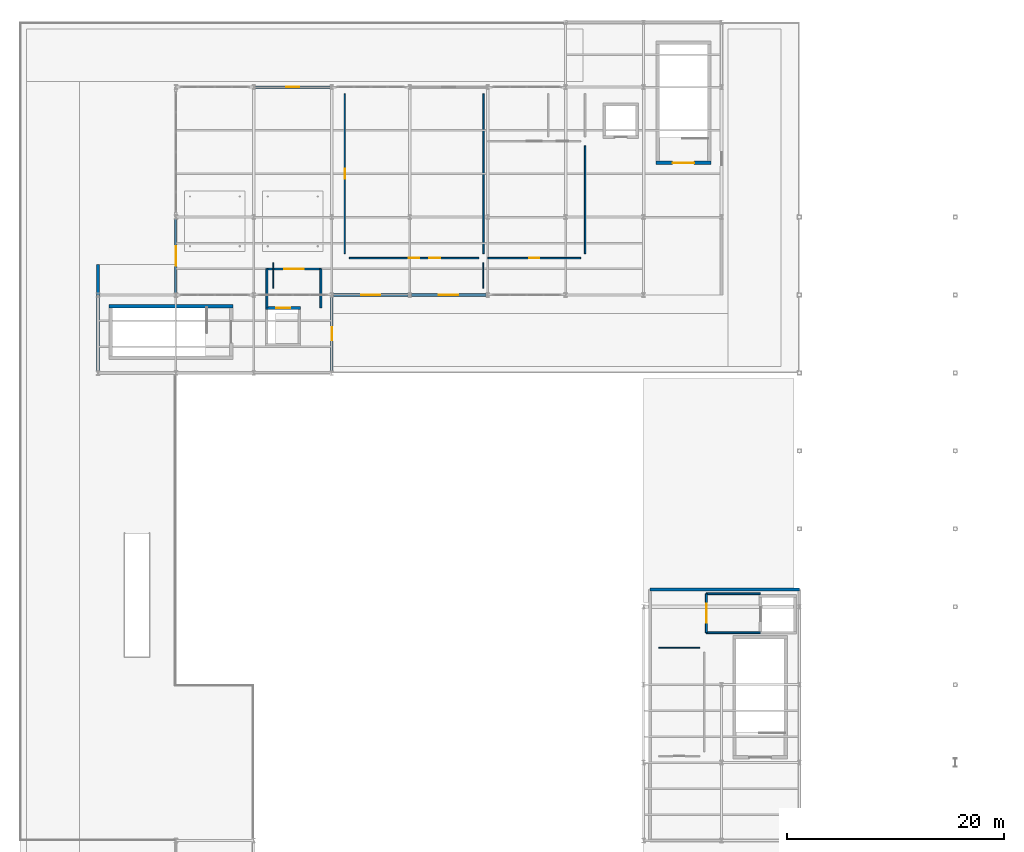
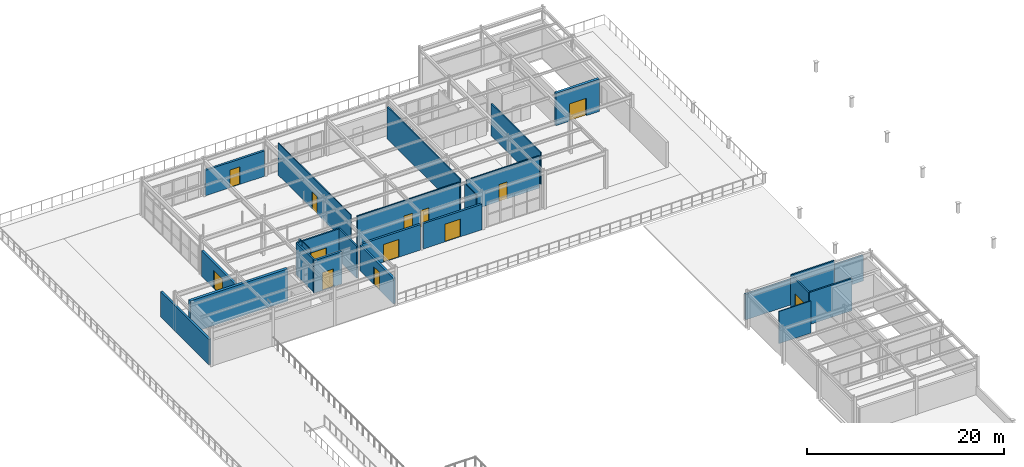
# One storey, part 35 of 41: 24 walls, 13 doors, 13 openings.
"""IFC4 building model written with IfcOpenShell, lengths in metres."""

import ifcopenshell
import ifcopenshell.guid

model = None  # the IFC model being written
_history = None  # IfcOwnerHistory: only IFC2X3 demands one
_inside = {}  # id of a spatial element -> (the spatial element, [elements in it])
_under = {}  # id of a project, library or spatial element -> (it, [spatial elements below it])
_declared = {}  # id of a project -> (the project, [libraries it declares])
_typed = {}  # id of a type object -> (the type object, [elements of that type])
_made_of = {}  # id of a material, layer set ... -> (it, [elements and type objects made of it])


def new_model(schema):
    """Start an empty IFC model of exactly this schema.

    Asked for "IFC4X3", IfcOpenShell would pick the latest addendum, in which some entities
    have other attributes; the version numbers below select the first issue.
    IFC2X3 requires an IfcOwnerHistory on every rooted entity: one is made here for all.
    """
    global model, _history
    if schema == "IFC4X3":
        model = ifcopenshell.file(schema_version=(4, 3, 0, 0))
    else:
        model = ifcopenshell.file(schema=schema)
    _inside.clear()
    _under.clear()
    _declared.clear()
    _typed.clear()
    _made_of.clear()
    _history = None
    if model.schema == "IFC2X3":
        org = make("IfcOrganization", Name="unknown")
        user = make(
            "IfcPersonAndOrganization",
            ThePerson=make("IfcPerson", FamilyName="unknown"),
            TheOrganization=org,
        )
        app = make(
            "IfcApplication",
            ApplicationDeveloper=org,
            Version="unknown",
            ApplicationFullName="unknown",
            ApplicationIdentifier="unknown",
        )
        _history = make(
            "IfcOwnerHistory",
            OwningUser=user,
            OwningApplication=app,
            ChangeAction="ADDED",
            CreationDate=0,
        )
    return model


def make(cls, **values):
    """One entity of the class cls with the attributes given. An attribute that is None is left unset."""
    return model.create_entity(
        cls, **{name: value for name, value in values.items() if value is not None}
    )


def rooted(cls, **values):
    """An entity with a GlobalId (a new one), such as an element, a storey or a relation."""
    return make(cls, GlobalId=ifcopenshell.guid.new(), OwnerHistory=_history, **values)


def si_unit(unit_type, name, prefix=None):
    """IfcSIUnit, for example si_unit("LENGTHUNIT", "METRE", prefix="MILLI")."""
    return make("IfcSIUnit", UnitType=unit_type, Prefix=prefix, Name=name)


def assignment(units):
    """IfcUnitAssignment: the units of a project."""
    return None if units is None else make("IfcUnitAssignment", Units=units)


def point(xyz):
    """IfcCartesianPoint."""
    return None if xyz is None else make("IfcCartesianPoint", Coordinates=xyz)


def direction(xyz):
    """IfcDirection."""
    return None if xyz is None else make("IfcDirection", DirectionRatios=xyz)


def frame(location, z_axis=None, x_axis=None):
    """IfcAxis2Placement3D, a coordinate frame: its origin and axes. An axis left out is left unset."""
    return make(
        "IfcAxis2Placement3D",
        Location=point(location),
        Axis=direction(z_axis),
        RefDirection=direction(x_axis),
    )


def frame_2d(location, x_axis=None):
    """IfcAxis2Placement2D, a coordinate frame in the plane: its origin and x axis."""
    return make(
        "IfcAxis2Placement2D", Location=point(location), RefDirection=direction(x_axis)
    )


def origin():
    """The frame at (0, 0, 0) with its axes left unset."""
    return frame((0.0, 0.0, 0.0))


def place(relative_to, where):
    """IfcLocalPlacement: puts the frame where relative to a parent placement (None: the world)."""
    return make(
        "IfcLocalPlacement", PlacementRelTo=relative_to, RelativePlacement=where
    )


def context(
    kind, dimensions, precision=None, world=None, true_north=None, identifier=None
):
    """IfcGeometricRepresentationContext, for example the 3D "Model" context."""
    return make(
        "IfcGeometricRepresentationContext",
        ContextIdentifier=identifier,
        ContextType=kind,
        CoordinateSpaceDimension=dimensions,
        Precision=precision,
        WorldCoordinateSystem=world,
        TrueNorth=true_north,
    )


def subcontext(parent, identifier, kind, view, scale=None):
    """IfcGeometricRepresentationSubContext, for example "Body" below "Model"."""
    return make(
        "IfcGeometricRepresentationSubContext",
        ContextIdentifier=identifier,
        ContextType=kind,
        ParentContext=parent,
        TargetScale=scale,
        TargetView=view,
    )


def project(units=None, contexts=None):
    """IfcProject with its units and contexts."""
    return rooted(
        "IfcProject",
        Name="project",
        RepresentationContexts=contexts,
        UnitsInContext=assignment(units),
    )


def spatial(cls, under=None, at=None, **own):
    """A site, building, storey or space (cls), placed at a placement, below another one or the project."""
    s = rooted(cls, ObjectPlacement=at, **own)
    if under is not None:
        _under.setdefault(under.id(), (under, []))[1].append(s)
    return s


def profile(cls, at=None, kind="AREA", **sizes):
    """A parametric profile (cls). Its sizes go by their IFC names, for example OverallWidth=200.0."""
    return make(cls, ProfileType=kind, Position=at, **sizes)


def rectangle(**sizes):
    """IfcRectangleProfileDef."""
    return profile("IfcRectangleProfileDef", **sizes)


def extrude(swept, where, along, depth):
    """IfcExtrudedAreaSolid: the profile swept, set in the frame where, extruded along a direction by depth."""
    return make(
        "IfcExtrudedAreaSolid",
        SweptArea=swept,
        Position=where,
        ExtrudedDirection=direction(along),
        Depth=depth,
    )


def shape(context_of_items, identifier, shape_type, items):
    """IfcShapeRepresentation: the items that make up one representation, for example the "Body"."""
    return make(
        "IfcShapeRepresentation",
        ContextOfItems=context_of_items,
        RepresentationIdentifier=identifier,
        RepresentationType=shape_type,
        Items=items,
    )


def material(Name=None, Category=None):
    """IfcMaterial."""
    return make("IfcMaterial", Name=Name, Category=Category)


def layer(
    of_material, thickness, ventilated=None, Name=None, Category=None, Priority=None
):
    """IfcMaterialLayer: one layer of a wall or slab, of a material (None: an air gap)."""
    return make(
        "IfcMaterialLayer",
        Material=of_material,
        LayerThickness=thickness,
        IsVentilated=ventilated,
        Name=Name,
        Category=Category,
        Priority=Priority,
    )


def layer_set(layers, Name=None):
    """IfcMaterialLayerSet."""
    return make("IfcMaterialLayerSet", MaterialLayers=layers, LayerSetName=Name)


def made_of(thing, what):
    """Note that an element or type object is made of a material, layer set ...; save() writes the relation."""
    if what is not None:
        _made_of.setdefault(what.id(), (what, []))[1].append(thing)
    return thing


def type_object(cls, material=None, **own):
    """A type object (cls), such as IfcWallType, which elements share."""
    return made_of(rooted(cls, **own), material)


def element(
    cls,
    number,
    at=None,
    inside=None,
    cuts=None,
    type_object=None,
    material=None,
    context=None,
    identifier="Body",
    shape_type=None,
    held_by="IfcProductDefinitionShape",
    body=None,
    shapes=None,
    **own,
):
    """One element of the class cls, such as IfcWall. Its Tag is "e" and its number.

    at: its placement. inside: the storey or other place that contains it. cuts: it is an
    opening in that element (IfcRelVoidsElement). A single representation is given by context,
    identifier, shape_type and body (its items); several are given by shapes. held_by: the class
    of the entity that holds the representations. save() writes the other relations.
    """
    e = rooted(cls, Tag="e%d" % number, ObjectPlacement=at, **own)
    if body is not None:
        shapes = [shape(context, identifier, shape_type, body)]
    if shapes is not None:
        e.Representation = make(held_by, Representations=shapes)
    if inside is not None:
        _inside.setdefault(inside.id(), (inside, []))[1].append(e)
    if cuts is not None:
        rooted(
            "IfcRelVoidsElement", RelatingBuildingElement=cuts, RelatedOpeningElement=e
        )
    if type_object is not None:
        _typed.setdefault(type_object.id(), (type_object, []))[1].append(e)
    return made_of(e, material)


def fill(opening, filler):
    """IfcRelFillsElement: the door or window that sits in an opening."""
    return rooted(
        "IfcRelFillsElement",
        RelatingOpeningElement=opening,
        RelatedBuildingElement=filler,
    )


def aggregate(whole, parts):
    """IfcRelAggregates: a whole, such as a stair, and the parts it consists of."""
    return rooted("IfcRelAggregates", RelatingObject=whole, RelatedObjects=parts)


def save(model, path):
    """Write the relations noted so far, then the file.

    IfcRelAggregates (storeys below a building ...), IfcRelContainedInSpatialStructure (elements
    in a storey), IfcRelDefinesByType, IfcRelAssociatesMaterial and IfcRelDeclares: one each for
    every whole, place, type object, material and project.
    """
    for whole, parts in _under.values():
        aggregate(whole, parts)
    for where, things in _inside.values():
        rooted(
            "IfcRelContainedInSpatialStructure",
            RelatedElements=things,
            RelatingStructure=where,
        )
    for kind, things in _typed.values():
        rooted("IfcRelDefinesByType", RelatedObjects=things, RelatingType=kind)
    for what, things in _made_of.values():
        rooted("IfcRelAssociatesMaterial", RelatedObjects=things, RelatingMaterial=what)
    for by, libraries in _declared.values():
        rooted("IfcRelDeclares", RelatingContext=by, RelatedDefinitions=libraries)
    model.write(path)


model = new_model("IFC4")

# Units and contexts
model_context = context("Model", 3, precision=1e-05, world=origin(), true_north=direction((0.0, 1.0)))
body_context = subcontext(model_context, "Body", "Model", "MODEL_VIEW")
ifc_project = project(units=[si_unit("LENGTHUNIT", "METRE"), si_unit("AREAUNIT", "SQUARE_METRE"), si_unit("VOLUMEUNIT", "CUBIC_METRE"), si_unit("PLANEANGLEUNIT", "RADIAN"), si_unit("MASSUNIT", "GRAM", prefix="KILO")], contexts=[model_context])

# Site, building, storey
site_placement = place(None, origin())
site = spatial("IfcSite", under=ifc_project, at=site_placement, CompositionType="ELEMENT")
building_placement = place(site_placement, origin())
building = spatial("IfcBuilding", under=site, at=building_placement, Name="Solvadek Multi-Sports Hall", CompositionType="ELEMENT")
storey_placement = place(building_placement, frame((0.0, 0.0, 14.39990234375)))
storey = spatial("IfcBuildingStorey", under=building, at=storey_placement, Name="L03", CompositionType="ELEMENT", Elevation=14.39990234375)

# Wall, opening, door
ifc_material_1 = material(Name="Dressed honey-cream limestone ashlar", Category="masonry")
ifc_layer_1 = layer(ifc_material_1, 0.25, Name="Dressed honey-cream limestone ashlar")
ifc_layer_set_1 = layer_set([ifc_layer_1], Name="Dressed honey-cream limestone ashlar")
wall_type_1 = type_object("IfcWallType", Name="ENV-WAL-EXT250", PredefinedType="SOLIDWALL", material=ifc_layer_set_1)
wall_1_placement = place(storey_placement, frame((21.75390625, 104.39990234375, 0.0), z_axis=(0.0, 0.0, 1.0), x_axis=(1.0, 0.0, 0.0)))
wall_1 = element("IfcWall", 1, at=wall_1_placement, inside=storey, type_object=wall_type_1, Name="L03 Exterior Masonry Wall #292", PredefinedType="SOLIDWALL", context=body_context, shape_type="SweptSolid", body=[
    extrude(rectangle(XDim=6.89208984375, YDim=0.25, at=frame_2d((3.446044921875, 0.0))), origin(), (0.0, 0.0, 1.0), 3.150146484375),
])
opening_1_placement = place(wall_1_placement, frame((2.845947265625, 0.0, 0.0)))
opening_1 = element("IfcOpeningElement", 2, at=opening_1_placement, cuts=wall_1, Name="Opening D-TRK1", PredefinedType="OPENING", context=body_context, shape_type="SweptSolid", body=[
    extrude(rectangle(XDim=1.199951171875, YDim=2.199951171875, at=frame_2d((0.60009765625, 1.10009765625))), frame((0.0, 0.135009765625, 0.0), z_axis=(0.0, -1.0, 0.0), x_axis=(1.0, 0.0, 0.0)), (0.0, 0.0, 1.0), 0.27001953125),
])
ifc_material_2 = material(Name="Anodised aluminium", Category="aluminium")
door_type_1 = type_object("IfcDoorType", Name="ENV-DOR-TRK120X220", OperationType="NOTDEFINED", PredefinedType="DOOR", material=ifc_material_2)
door_1_placement = place(opening_1_placement, origin())
door_1 = element("IfcDoor", 3, at=door_1_placement, inside=storey, type_object=door_type_1, Name="Pavilion North Track Access Door", OperationType="SINGLE_SWING_RIGHT", OverallHeight=2.199951171875, OverallWidth=1.199951171875, PredefinedType="DOOR", context=body_context, shape_type="SweptSolid", body=[
    extrude(rectangle(XDim=1.199951171875, YDim=2.199951171875, at=frame_2d((0.60009765625, 1.10009765625))), frame((0.0, 0.02490234375, 0.0), z_axis=(0.0, -1.0, 0.0), x_axis=(1.0, 0.0, 0.0)), (0.0, 0.0, 1.0), 0.050048828125),
])
fill(opening_1, door_1)

wall_2_placement = place(storey_placement, frame((28.9541015625, 85.199951171875, 0.0), z_axis=(0.0, 0.0, 1.0), x_axis=(1.0, 0.0, 0.0)))
wall_2 = element("IfcWall", 4, at=wall_2_placement, inside=storey, type_object=wall_type_1, Name="L03 Exterior Masonry Wall #293", PredefinedType="SOLIDWALL", context=body_context, shape_type="SweptSolid", body=[
    extrude(rectangle(XDim=6.891845703125, YDim=0.25, at=frame_2d((3.44580078125, 0.0))), origin(), (0.0, 0.0, 1.0), 3.150146484375),
])
opening_2_placement = place(wall_2_placement, frame((2.5458984375, 0.0, 0.0)))
opening_2 = element("IfcOpeningElement", 5, at=opening_2_placement, cuts=wall_2, Name="Opening D-TRK2", PredefinedType="OPENING", context=body_context, shape_type="SweptSolid", body=[
    extrude(rectangle(XDim=1.800048828125, YDim=2.199951171875, at=frame_2d((0.89990234375, 1.10009765625))), frame((0.0, 0.135009765625, 0.0), z_axis=(0.0, -1.0, 0.0), x_axis=(1.0, 0.0, 0.0)), (0.0, 0.0, 1.0), 0.27001953125),
])
door_type_2 = type_object("IfcDoorType", Name="ENV-DOR-TRK180X220", OperationType="DOUBLE_DOOR_SINGLE_SWING", PredefinedType="DOOR", material=ifc_material_2)
door_2_placement = place(opening_2_placement, frame((1.800048828125, 0.0, 0.0), z_axis=(0.0, 0.0, 1.0), x_axis=(-1.0, 0.0, 0.0)))
door_2 = element("IfcDoor", 6, at=door_2_placement, inside=storey, type_object=door_type_2, Name="Warm-Up Pavilion Track Access Door", OperationType="DOUBLE_DOOR_SINGLE_SWING", OverallHeight=2.199951171875, OverallWidth=1.800048828125, PredefinedType="DOOR", context=body_context, shape_type="SweptSolid", body=[
    extrude(rectangle(XDim=1.800048828125, YDim=2.199951171875, at=frame_2d((0.89990234375, 1.10009765625))), frame((0.0, 0.02490234375, 0.0), z_axis=(0.0, -1.0, 0.0), x_axis=(1.0, 0.0, 0.0)), (0.0, 0.0, 1.0), 0.050048828125),
])
fill(opening_2, door_2)

wall_3_placement = place(storey_placement, frame((36.154052734375, 85.199951171875, 0.0), z_axis=(0.0, 0.0, 1.0), x_axis=(1.0, 0.0, 0.0)))
wall_3 = element("IfcWall", 7, at=wall_3_placement, inside=storey, type_object=wall_type_1, Name="L03 Exterior Masonry Wall #294", PredefinedType="SOLIDWALL", context=body_context, shape_type="SweptSolid", body=[
    extrude(rectangle(XDim=6.891845703125, YDim=0.25, at=frame_2d((3.44580078125, 0.0))), origin(), (0.0, 0.0, 1.0), 3.150146484375),
])
opening_3_placement = place(wall_3_placement, frame((2.5458984375, 0.0, 0.0)))
opening_3 = element("IfcOpeningElement", 8, at=opening_3_placement, cuts=wall_3, Name="Opening D-TRK2", PredefinedType="OPENING", context=body_context, shape_type="SweptSolid", body=[
    extrude(rectangle(XDim=1.800048828125, YDim=2.199951171875, at=frame_2d((0.89990234375, 1.10009765625))), frame((0.0, 0.135009765625, 0.0), z_axis=(0.0, -1.0, 0.0), x_axis=(1.0, 0.0, 0.0)), (0.0, 0.0, 1.0), 0.27001953125),
])
door_3_placement = place(opening_3_placement, frame((1.800048828125, 0.0, 0.0), z_axis=(0.0, 0.0, 1.0), x_axis=(-1.0, 0.0, 0.0)))
door_3 = element("IfcDoor", 9, at=door_3_placement, inside=storey, type_object=door_type_2, Name="Warm-Up Pavilion Track Access Door", OperationType="DOUBLE_DOOR_SINGLE_SWING", OverallHeight=2.199951171875, OverallWidth=1.800048828125, PredefinedType="DOOR", context=body_context, shape_type="SweptSolid", body=[
    extrude(rectangle(XDim=1.800048828125, YDim=2.199951171875, at=frame_2d((0.89990234375, 1.10009765625))), frame((0.0, 0.02490234375, 0.0), z_axis=(0.0, -1.0, 0.0), x_axis=(1.0, 0.0, 0.0)), (0.0, 0.0, 1.0), 0.050048828125),
])
fill(opening_3, door_3)

wall_4_placement = place(storey_placement, frame((14.39990234375, 85.404052734375, 0.0), z_axis=(0.0, 0.0, 1.0), x_axis=(0.0, 1.0, 0.0)))
wall_4 = element("IfcWall", 10, at=wall_4_placement, inside=storey, type_object=wall_type_1, Name="L03 Exterior Masonry Wall #296", PredefinedType="SOLIDWALL", context=body_context, shape_type="SweptSolid", body=[
    extrude(rectangle(XDim=6.7919921875, YDim=0.25, at=frame_2d((3.39599609375, 0.0))), origin(), (0.0, 0.0, 1.0), 3.150146484375),
])
opening_4_placement = place(wall_4_placement, frame((2.49609375, 0.0, 0.0)))
opening_4 = element("IfcOpeningElement", 11, at=opening_4_placement, cuts=wall_4, Name="Opening D-TRK2", PredefinedType="OPENING", context=body_context, shape_type="SweptSolid", body=[
    extrude(rectangle(XDim=1.800048828125, YDim=2.199951171875, at=frame_2d((0.89990234375, 1.10009765625))), frame((0.0, 0.135009765625, 0.0), z_axis=(0.0, -1.0, 0.0), x_axis=(1.0, 0.0, 0.0)), (0.0, 0.0, 1.0), 0.27001953125),
])
door_4_placement = place(opening_4_placement, origin())
door_4 = element("IfcDoor", 12, at=door_4_placement, inside=storey, type_object=door_type_2, Name="Pavilion West Track Access Door", OperationType="DOUBLE_DOOR_SINGLE_SWING", OverallHeight=2.199951171875, OverallWidth=1.800048828125, PredefinedType="DOOR", context=body_context, shape_type="SweptSolid", body=[
    extrude(rectangle(XDim=1.800048828125, YDim=2.199951171875, at=frame_2d((0.89990234375, 1.10009765625))), frame((0.0, 0.02490234375, 0.0), z_axis=(0.0, -1.0, 0.0), x_axis=(1.0, 0.0, 0.0)), (0.0, 0.0, 1.0), 0.050048828125),
])
fill(opening_4, door_4)

# Wall
wall_5_placement = place(storey_placement, frame((7.199951171875, 78.2041015625, 0.0), z_axis=(0.0, 0.0, 1.0), x_axis=(0.0, 1.0, 0.0)))
element("IfcWall", 13, at=wall_5_placement, inside=storey, type_object=wall_type_1, Name="L03 Exterior Masonry Wall #298", PredefinedType="SOLIDWALL", context=body_context, shape_type="SweptSolid", body=[
    extrude(rectangle(XDim=9.7958984375, YDim=0.25, at=frame_2d((4.89794921875, 0.0))), origin(), (0.0, 0.0, 1.0), 3.150146484375),
])

# Wall, opening, door
wall_6_placement = place(storey_placement, frame((28.800048828125, 78.2041015625, 0.0), z_axis=(0.0, 0.0, 1.0), x_axis=(0.0, 1.0, 0.0)))
wall_6 = element("IfcWall", 14, at=wall_6_placement, inside=storey, type_object=wall_type_1, Name="L03 Exterior Masonry Wall #299", PredefinedType="SOLIDWALL", context=body_context, shape_type="SweptSolid", body=[
    extrude(rectangle(XDim=6.7919921875, YDim=0.25, at=frame_2d((3.39599609375, 0.0))), origin(), (0.0, 0.0, 1.0), 3.150146484375),
])
opening_5_placement = place(wall_6_placement, frame((2.7958984375, 0.0, 0.0)))
opening_5 = element("IfcOpeningElement", 15, at=opening_5_placement, cuts=wall_6, Name="Opening D-TRK1", PredefinedType="OPENING", context=body_context, shape_type="SweptSolid", body=[
    extrude(rectangle(XDim=1.199951171875, YDim=2.199951171875, at=frame_2d((0.60009765625, 1.10009765625))), frame((0.0, 0.135009765625, 0.0), z_axis=(0.0, -1.0, 0.0), x_axis=(1.0, 0.0, 0.0)), (0.0, 0.0, 1.0), 0.27001953125),
])
door_5_placement = place(opening_5_placement, frame((1.199951171875, 0.0, 0.0), z_axis=(0.0, 0.0, 1.0), x_axis=(-1.0, 0.0, 0.0)))
door_5 = element("IfcDoor", 16, at=door_5_placement, inside=storey, type_object=door_type_1, Name="Headhouse Track Access Door", OperationType="SINGLE_SWING_LEFT", OverallHeight=2.199951171875, OverallWidth=1.199951171875, PredefinedType="DOOR", context=body_context, shape_type="SweptSolid", body=[
    extrude(rectangle(XDim=1.199951171875, YDim=2.199951171875, at=frame_2d((0.60009765625, 1.10009765625))), frame((0.0, 0.02490234375, 0.0), z_axis=(0.0, -1.0, 0.0), x_axis=(1.0, 0.0, 0.0)), (0.0, 0.0, 1.0), 0.050048828125),
])
fill(opening_5, door_5)

# Wall
wall_7_placement = place(storey_placement, frame((58.199951171875, 58.0, 0.0), z_axis=(0.0, 0.0, 1.0), x_axis=(1.0, 0.0, 0.0)))
element("IfcWall", 17, at=wall_7_placement, inside=storey, type_object=wall_type_1, Name="L03 Exterior Masonry Wall #304", PredefinedType="SOLIDWALL", context=body_context, shape_type="SweptSolid", body=[
    extrude(rectangle(XDim=13.800048828125, YDim=0.25, at=frame_2d((6.89990234375, 0.0))), origin(), (0.0, 0.0, 1.0), 3.150146484375),
])

# Wall, opening, door
ifc_material_3 = material(Name="Autoclaved aerated concrete blockwork", Category="masonry")
ifc_layer_2 = layer(ifc_material_3, 0.10498046875, Name="Autoclaved aerated concrete blockwork")
ifc_layer_set_2 = layer_set([ifc_layer_2], Name="Autoclaved aerated concrete blockwork")
wall_type_2 = type_object("IfcWallType", Name="INT-WAL-PRT105", PredefinedType="PARTITIONING", material=ifc_layer_set_2)
wall_8_placement = place(storey_placement, frame((30.0, 89.02001953125, 0.0), z_axis=(0.0, 0.0, 1.0), x_axis=(0.0, 1.0, 0.0)))
wall_8 = element("IfcWall", 18, at=wall_8_placement, inside=storey, type_object=wall_type_2, Name="L03 Partition Wall L03-01 E", PredefinedType="PARTITIONING", context=body_context, shape_type="SweptSolid", body=[
    extrude(rectangle(XDim=14.760009765625, YDim=0.10498046875, at=frame_2d((7.3798828125, 0.0))), origin(), (0.0, 0.0, 1.0), 3.985107421875),
])
opening_6_placement = place(wall_8_placement, frame((6.905029296875, 0.0, 0.0)))
opening_6 = element("IfcOpeningElement", 19, at=opening_6_placement, cuts=wall_8, Name="Opening D-02", PredefinedType="OPENING", context=body_context, shape_type="SweptSolid", body=[
    extrude(rectangle(XDim=0.949951171875, YDim=2.10009765625, at=frame_2d((0.47509765625, 1.050048828125))), frame((0.0, 0.0625, 0.0), z_axis=(0.0, -1.0, 0.0), x_axis=(1.0, 0.0, 0.0)), (0.0, 0.0, 1.0), 0.125),
])
ifc_material_4 = material(Name="Teak hardwood timber", Category="wood")
door_type_3 = type_object("IfcDoorType", Name="INT-DOR-RM095X210", OperationType="NOTDEFINED", PredefinedType="DOOR", material=ifc_material_4)
door_6_placement = place(opening_6_placement, origin())
door_6 = element("IfcDoor", 20, at=door_6_placement, inside=storey, type_object=door_type_3, Name="L03 L03-01 Door #55", OperationType="SINGLE_SWING_RIGHT", OverallHeight=2.10009765625, OverallWidth=0.949951171875, PredefinedType="DOOR", context=body_context, shape_type="SweptSolid", body=[
    extrude(rectangle(XDim=0.949951171875, YDim=2.10009765625, at=frame_2d((0.47509765625, 1.050048828125))), frame((0.0, 0.02490234375, 0.0), z_axis=(0.0, -1.0, 0.0), x_axis=(1.0, 0.0, 0.0)), (0.0, 0.0, 1.0), 0.050048828125),
])
fill(opening_6, door_6)

# Walls
for number, where, z_axis, x_axis, name in (
    (21, (23.39990234375, 85.820068359375, 0.0), (0.0, 0.0, 1.0), (0.0, 1.0, 0.0), "L03 Partition Wall L03-04 W"),
    (22, (42.800048828125, 85.820068359375, 0.0), (0.0, 0.0, 1.0), (0.0, 1.0, 0.0), "L03 Partition Wall L03-04 E"),
):
    element("IfcWall", number, at=place(storey_placement, frame(where, z_axis=z_axis, x_axis=x_axis)), inside=storey, type_object=wall_type_2, Name=name, PredefinedType="PARTITIONING", context=body_context, shape_type="SweptSolid", body=[
        extrude(rectangle(XDim=2.355712890625, YDim=0.10498046875, at=frame_2d((1.177734375, 0.0))), origin(), (0.0, 0.0, 1.0), 3.985107421875),
    ])
wall_9_placement = place(storey_placement, frame((59.02001953125, 52.60009765625, 0.0), z_axis=(0.0, 0.0, 1.0), x_axis=(1.0, 0.0, 0.0)))
element("IfcWall", 23, at=wall_9_placement, inside=storey, type_object=wall_type_2, Name="L03 Partition Wall L03-07 N", PredefinedType="PARTITIONING", context=body_context, shape_type="SweptSolid", body=[
    extrude(rectangle(XDim=3.760009765625, YDim=0.10498046875, at=frame_2d((1.8798828125, 0.0))), origin(), (0.0, 0.0, 1.0), 3.985107421875),
])

# Wall, openings, doors
ifc_layer_3 = layer(ifc_material_3, 0.135009765625, Name="Autoclaved aerated concrete blockwork")
ifc_layer_set_3 = layer_set([ifc_layer_3], Name="Autoclaved aerated concrete blockwork")
wall_type_3 = type_object("IfcWallType", Name="INT-WAL-PRT135", PredefinedType="PARTITIONING", material=ifc_layer_set_3)
wall_10_placement = place(storey_placement, frame((30.425048828125, 88.60009765625, 0.0), z_axis=(0.0, 0.0, 1.0), x_axis=(1.0, 0.0, 0.0)))
wall_10 = element("IfcWall", 24, at=wall_10_placement, inside=storey, type_object=wall_type_3, Name="L03 Partition Wall L03-02 S", PredefinedType="PARTITIONING", context=body_context, shape_type="SweptSolid", body=[
    extrude(rectangle(XDim=11.954833984375, YDim=0.135009765625, at=frame_2d((5.9775390625, 0.0))), origin(), (0.0, 0.0, 1.0), 3.985107421875),
])
opening_7_placement = place(wall_10_placement, frame((5.4775390625, 0.0, 0.0)))
opening_7 = element("IfcOpeningElement", 25, at=opening_7_placement, cuts=wall_10, Name="Opening D-01", PredefinedType="OPENING", context=body_context, shape_type="SweptSolid", body=[
    extrude(rectangle(XDim=1.0, YDim=2.10009765625, at=frame_2d((0.5, 1.050048828125))), frame((0.0, 0.077392578125, 0.0), z_axis=(0.0, -1.0, 0.0), x_axis=(1.0, 0.0, 0.0)), (0.0, 0.0, 1.0), 0.155029296875),
])
opening_8_placement = place(wall_10_placement, frame((7.37744140625, 0.0, 0.0)))
opening_8 = element("IfcOpeningElement", 26, at=opening_8_placement, cuts=wall_10, Name="Opening D-01", PredefinedType="OPENING", context=body_context, shape_type="SweptSolid", body=[
    extrude(rectangle(XDim=1.0, YDim=2.10009765625, at=frame_2d((0.5, 1.050048828125))), frame((0.0, 0.077392578125, 0.0), z_axis=(0.0, -1.0, 0.0), x_axis=(1.0, 0.0, 0.0)), (0.0, 0.0, 1.0), 0.155029296875),
])
door_type_4 = type_object("IfcDoorType", Name="INT-DOR-RM100X210", OperationType="NOTDEFINED", PredefinedType="DOOR", material=ifc_material_4)
door_7_placement = place(opening_7_placement, origin())
door_7 = element("IfcDoor", 27, at=door_7_placement, inside=storey, type_object=door_type_4, Name="L03 L03-02 Door #56", OperationType="SINGLE_SWING_LEFT", OverallHeight=2.10009765625, OverallWidth=1.0, PredefinedType="DOOR", context=body_context, shape_type="SweptSolid", body=[
    extrude(rectangle(XDim=1.0, YDim=2.10009765625, at=frame_2d((0.5, 1.050048828125))), frame((0.0, 0.02490234375, 0.0), z_axis=(0.0, -1.0, 0.0), x_axis=(1.0, 0.0, 0.0)), (0.0, 0.0, 1.0), 0.050048828125),
])
fill(opening_7, door_7)
door_8_placement = place(opening_8_placement, frame((1.0, 0.0, 0.0), z_axis=(0.0, 0.0, 1.0), x_axis=(-1.0, 0.0, 0.0)))
door_8 = element("IfcDoor", 28, at=door_8_placement, inside=storey, type_object=door_type_4, Name="L03 L03-04 Door #58", OperationType="SINGLE_SWING_LEFT", OverallHeight=2.10009765625, OverallWidth=1.0, PredefinedType="DOOR", context=body_context, shape_type="SweptSolid", body=[
    extrude(rectangle(XDim=1.0, YDim=2.10009765625, at=frame_2d((0.5, 1.050048828125))), frame((0.0, 0.02490234375, 0.0), z_axis=(0.0, -1.0, 0.0), x_axis=(1.0, 0.0, 0.0)), (0.0, 0.0, 1.0), 0.050048828125),
])
fill(opening_8, door_8)

# Wall
wall_11_placement = place(storey_placement, frame((42.800048828125, 89.02001953125, 0.0), z_axis=(0.0, 0.0, 1.0), x_axis=(0.0, 1.0, 0.0)))
element("IfcWall", 29, at=wall_11_placement, inside=storey, type_object=wall_type_3, Name="L03 Partition Wall L03-02 E", PredefinedType="PARTITIONING", context=body_context, shape_type="SweptSolid", body=[
    extrude(rectangle(XDim=14.760009765625, YDim=0.135009765625, at=frame_2d((7.3798828125, 0.0))), origin(), (0.0, 0.0, 1.0), 3.985107421875),
])

# Wall, opening, door
wall_12_placement = place(storey_placement, frame((43.22509765625, 88.60009765625, 0.0), z_axis=(0.0, 0.0, 1.0), x_axis=(1.0, 0.0, 0.0)))
wall_12 = element("IfcWall", 30, at=wall_12_placement, inside=storey, type_object=wall_type_3, Name="L03 Partition Wall L03-03 S", PredefinedType="PARTITIONING", context=body_context, shape_type="SweptSolid", body=[
    extrude(rectangle(XDim=8.554931640625, YDim=0.135009765625, at=frame_2d((4.27734375, 0.0))), origin(), (0.0, 0.0, 1.0), 3.985107421875),
])
opening_9_placement = place(wall_12_placement, frame((3.802490234375, 0.0, 0.0)))
opening_9 = element("IfcOpeningElement", 31, at=opening_9_placement, cuts=wall_12, Name="Opening D-02", PredefinedType="OPENING", context=body_context, shape_type="SweptSolid", body=[
    extrude(rectangle(XDim=0.949951171875, YDim=2.10009765625, at=frame_2d((0.47509765625, 1.050048828125))), frame((0.0, 0.077392578125, 0.0), z_axis=(0.0, -1.0, 0.0), x_axis=(1.0, 0.0, 0.0)), (0.0, 0.0, 1.0), 0.155029296875),
])
door_9_placement = place(opening_9_placement, origin())
door_9 = element("IfcDoor", 32, at=door_9_placement, inside=storey, type_object=door_type_3, Name="L03 L03-03 Door #57", OperationType="SINGLE_SWING_RIGHT", OverallHeight=2.10009765625, OverallWidth=0.949951171875, PredefinedType="DOOR", context=body_context, shape_type="SweptSolid", body=[
    extrude(rectangle(XDim=0.949951171875, YDim=2.10009765625, at=frame_2d((0.47509765625, 1.050048828125))), frame((0.0, 0.02490234375, 0.0), z_axis=(0.0, -1.0, 0.0), x_axis=(1.0, 0.0, 0.0)), (0.0, 0.0, 1.0), 0.050048828125),
])
fill(opening_9, door_9)

# Wall
wall_13_placement = place(storey_placement, frame((52.199951171875, 89.02001953125, 0.0), z_axis=(0.0, 0.0, 1.0), x_axis=(0.0, 1.0, 0.0)))
element("IfcWall", 33, at=wall_13_placement, inside=storey, type_object=wall_type_3, Name="L03 Partition Wall L03-03 E", PredefinedType="PARTITIONING", context=body_context, shape_type="SweptSolid", body=[
    extrude(rectangle(XDim=9.9599609375, YDim=0.135009765625, at=frame_2d((4.97998046875, 0.0))), origin(), (0.0, 0.0, 1.0), 3.985107421875),
])

# Wall, opening, door
ifc_layer_4 = layer(ifc_material_3, 0.179931640625, Name="Autoclaved aerated concrete blockwork")
ifc_layer_set_4 = layer_set([ifc_layer_4], Name="Autoclaved aerated concrete blockwork")
wall_type_4 = type_object("IfcWallType", Name="INT-WAL-PRT180", PredefinedType="PARTITIONING", material=ifc_layer_set_4)
wall_14_placement = place(storey_placement, frame((22.800048828125, 87.60009765625, 0.0), z_axis=(0.0, 0.0, 1.0), x_axis=(1.0, 0.0, 0.0)))
wall_14 = element("IfcWall", 34, at=wall_14_placement, inside=storey, type_object=wall_type_4, Name="L03 Firefighting Lobby LF-01 Rated Wall N", PredefinedType="PARTITIONING", context=body_context, shape_type="SweptSolid", body=[
    extrude(rectangle(XDim=5.0, YDim=0.179931640625, at=frame_2d((2.5, 0.0))), origin(), (0.0, 0.0, 1.0), 3.985107421875),
])
opening_10_placement = place(wall_14_placement, frame((1.60009765625, 0.0, 0.0)))
opening_10 = element("IfcOpeningElement", 35, at=opening_10_placement, cuts=wall_14, Name="Opening FD120B", PredefinedType="OPENING", context=body_context, shape_type="SweptSolid", body=[
    extrude(rectangle(XDim=1.800048828125, YDim=2.14990234375, at=frame_2d((0.89990234375, 1.074951171875))), frame((0.0, 0.099853515625, 0.0), z_axis=(0.0, -1.0, 0.0), x_axis=(1.0, 0.0, 0.0)), (0.0, 0.0, 1.0), 0.199951171875),
])
ifc_material_5 = material(Name="Steel E250 (250 MPa)", Category="steel")
door_type_5 = type_object("IfcDoorType", Name="INT-DOR-FD180X215", OperationType="DOUBLE_DOOR_SINGLE_SWING", PredefinedType="DOOR", material=ifc_material_5)
door_10_placement = place(opening_10_placement, origin())
door_10 = element("IfcDoor", 36, at=door_10_placement, inside=storey, type_object=door_type_5, Name="L03 Firefighting Lobby LF-01 Fire Door", OperationType="DOUBLE_DOOR_SINGLE_SWING", OverallHeight=2.14990234375, OverallWidth=1.800048828125, PredefinedType="DOOR", context=body_context, shape_type="SweptSolid", body=[
    extrude(rectangle(XDim=1.800048828125, YDim=2.14990234375, at=frame_2d((0.89990234375, 1.074951171875))), frame((0.0, 0.02490234375, 0.0), z_axis=(0.0, -1.0, 0.0), x_axis=(1.0, 0.0, 0.0)), (0.0, 0.0, 1.0), 0.050048828125),
])
fill(opening_10, door_10)

# Walls
for number, where, z_axis, x_axis, name in (
    (37, (22.800048828125, 84.0, 0.0), (0.0, 0.0, 1.0), (0.0, 1.0, 0.0), "L03 Firefighting Lobby LF-01 Rated Wall W"),
    (38, (27.800048828125, 84.0, 0.0), (0.0, 0.0, 1.0), (0.0, 1.0, 0.0), "L03 Firefighting Lobby LF-01 Rated Wall E"),
):
    element("IfcWall", number, at=place(storey_placement, frame(where, z_axis=z_axis, x_axis=x_axis)), inside=storey, type_object=wall_type_4, Name=name, PredefinedType="PARTITIONING", context=body_context, shape_type="SweptSolid", body=[
        extrude(rectangle(XDim=3.60009765625, YDim=0.179931640625, at=frame_2d((1.800048828125, 0.0))), origin(), (0.0, 0.0, 1.0), 3.985107421875),
    ])

# Wall, opening, door
wall_15_placement = place(storey_placement, frame((63.39990234375, 54.0, 0.0), z_axis=(0.0, 0.0, 1.0), x_axis=(0.0, 1.0, 0.0)))
wall_15 = element("IfcWall", 39, at=wall_15_placement, inside=storey, type_object=wall_type_4, Name="L03 Firefighting Lobby LF-02 Rated Wall W", PredefinedType="PARTITIONING", context=body_context, shape_type="SweptSolid", body=[
    extrude(rectangle(XDim=3.60009765625, YDim=0.179931640625, at=frame_2d((1.800048828125, 0.0))), origin(), (0.0, 0.0, 1.0), 3.985107421875),
])
opening_11_placement = place(wall_15_placement, frame((0.89990234375, 0.0, 0.0)))
opening_11 = element("IfcOpeningElement", 40, at=opening_11_placement, cuts=wall_15, Name="Opening FD120B", PredefinedType="OPENING", context=body_context, shape_type="SweptSolid", body=[
    extrude(rectangle(XDim=1.800048828125, YDim=2.14990234375, at=frame_2d((0.89990234375, 1.074951171875))), frame((0.0, 0.099853515625, 0.0), z_axis=(0.0, -1.0, 0.0), x_axis=(1.0, 0.0, 0.0)), (0.0, 0.0, 1.0), 0.199951171875),
])
door_11_placement = place(opening_11_placement, origin())
door_11 = element("IfcDoor", 41, at=door_11_placement, inside=storey, type_object=door_type_5, Name="L03 Firefighting Lobby LF-02 Fire Door", OperationType="DOUBLE_DOOR_SINGLE_SWING", OverallHeight=2.14990234375, OverallWidth=1.800048828125, PredefinedType="DOOR", context=body_context, shape_type="SweptSolid", body=[
    extrude(rectangle(XDim=1.800048828125, YDim=2.14990234375, at=frame_2d((0.89990234375, 1.074951171875))), frame((0.0, 0.02490234375, 0.0), z_axis=(0.0, -1.0, 0.0), x_axis=(1.0, 0.0, 0.0)), (0.0, 0.0, 1.0), 0.050048828125),
])
fill(opening_11, door_11)

# Walls
for number, where, z_axis, x_axis, name in (
    (42, (63.39990234375, 54.0, 0.0), (0.0, 0.0, 1.0), (1.0, 0.0, 0.0), "L03 Firefighting Lobby LF-02 Rated Wall S"),
    (43, (63.39990234375, 57.60009765625, 0.0), (0.0, 0.0, 1.0), (1.0, 0.0, 0.0), "L03 Firefighting Lobby LF-02 Rated Wall N"),
):
    element("IfcWall", number, at=place(storey_placement, frame(where, z_axis=z_axis, x_axis=x_axis)), inside=storey, type_object=wall_type_4, Name=name, PredefinedType="PARTITIONING", context=body_context, shape_type="SweptSolid", body=[
        extrude(rectangle(XDim=5.0, YDim=0.179931640625, at=frame_2d((2.5, 0.0))), origin(), (0.0, 0.0, 1.0), 3.985107421875),
    ])

# Wall, opening, door
ifc_material_6 = material(Name="Concrete M40", Category="concrete")
ifc_layer_5 = layer(ifc_material_6, 0.260009765625, Name="Concrete M40")
ifc_layer_set_5 = layer_set([ifc_layer_5], Name="Concrete M40")
wall_type_5 = type_object("IfcWallType", Name="INT-WAL-SHR260", PredefinedType="SHEAR", material=ifc_layer_set_5)
wall_16_placement = place(storey_placement, frame((22.669921875, 84.0, 0.0), z_axis=(0.0, 0.0, 1.0), x_axis=(1.0, 0.0, 0.0)))
wall_16 = element("IfcWall", 44, at=wall_16_placement, inside=storey, type_object=wall_type_5, Name="Lift LF-01 Shaft Shear Wall L03 north", PredefinedType="SHEAR", context=body_context, shape_type="SweptSolid", body=[
    extrude(rectangle(XDim=3.260009765625, YDim=0.260009765625, at=frame_2d((1.6298828125, 0.0))), origin(), (0.0, 0.0, 1.0), 4.0),
])
opening_12_placement = place(wall_16_placement, frame((0.97998046875, 0.0, 0.0)))
opening_12 = element("IfcOpeningElement", 45, at=opening_12_placement, cuts=wall_16, Name="Opening LD-05", PredefinedType="OPENING", context=body_context, shape_type="SweptSolid", body=[
    extrude(rectangle(XDim=1.300048828125, YDim=2.199951171875, at=frame_2d((0.64990234375, 1.10009765625))), frame((0.0, 0.139892578125, 0.0), z_axis=(0.0, -1.0, 0.0), x_axis=(1.0, 0.0, 0.0)), (0.0, 0.0, 1.0), 0.280029296875),
])
door_type_6 = type_object("IfcDoorType", Name="INT-DOR-LD130X220", OperationType="DOUBLE_DOOR_SLIDING", PredefinedType="DOOR", material=ifc_material_2)
door_12_placement = place(opening_12_placement, origin())
door_12 = element("IfcDoor", 46, at=door_12_placement, inside=storey, type_object=door_type_6, Name="L03 Lift LF-01 Sliding Landing Door LD-05", OperationType="DOUBLE_DOOR_SLIDING", OverallHeight=2.199951171875, OverallWidth=1.300048828125, PredefinedType="DOOR", context=body_context, shape_type="SweptSolid", body=[
    extrude(rectangle(XDim=1.300048828125, YDim=2.199951171875, at=frame_2d((0.64990234375, 1.10009765625))), frame((0.0, 0.02490234375, 0.0), z_axis=(0.0, -1.0, 0.0), x_axis=(1.0, 0.0, 0.0)), (0.0, 0.0, 1.0), 0.050048828125),
])
fill(opening_12, door_12)

# Wall
ifc_layer_6 = layer(ifc_material_6, 0.320068359375, Name="Concrete M40")
ifc_layer_set_6 = layer_set([ifc_layer_6], Name="Concrete M40")
wall_type_6 = type_object("IfcWallType", Name="INT-WAL-SHR320", PredefinedType="SHEAR", material=ifc_layer_set_6)
wall_17_placement = place(storey_placement, frame((8.239990234375, 84.14990234375, 0.0), z_axis=(0.0, 0.0, 1.0), x_axis=(1.0, 0.0, 0.0)))
element("IfcWall", 47, at=wall_17_placement, inside=storey, type_object=wall_type_6, Name="L03 Stair ST-02 Shear Wall N", PredefinedType="SHEAR", context=body_context, shape_type="SweptSolid", body=[
    extrude(rectangle(XDim=11.419921875, YDim=0.320068359375, at=frame_2d((5.7099609375, 0.0))), origin(), (0.0, 0.0, 1.0), 4.0),
])

# Wall, opening, door
wall_18_placement = place(storey_placement, frame((58.739990234375, 97.39990234375, 0.0), z_axis=(0.0, 0.0, 1.0), x_axis=(1.0, 0.0, 0.0)))
wall_18 = element("IfcWall", 48, at=wall_18_placement, inside=storey, type_object=wall_type_6, Name="L03 Stair ST-03 Shear Wall S", PredefinedType="SHEAR", context=body_context, shape_type="SweptSolid", body=[
    extrude(rectangle(XDim=5.070068359375, YDim=0.320068359375, at=frame_2d((2.53515625, 0.0))), origin(), (0.0, 0.0, 1.0), 4.0),
])
opening_13_placement = place(wall_18_placement, frame((1.534912109375, 0.0, 0.0)))
opening_13 = element("IfcOpeningElement", 49, at=opening_13_placement, cuts=wall_18, Name="Opening FD120", PredefinedType="OPENING", context=body_context, shape_type="SweptSolid", body=[
    extrude(rectangle(XDim=2.0, YDim=2.14990234375, at=frame_2d((1.0, 1.074951171875))), frame((0.0, 0.169921875, 0.0), z_axis=(0.0, -1.0, 0.0), x_axis=(1.0, 0.0, 0.0)), (0.0, 0.0, 1.0), 0.340087890625),
])
door_type_7 = type_object("IfcDoorType", Name="INT-DOR-FD200X215", OperationType="DOUBLE_DOOR_SINGLE_SWING", PredefinedType="DOOR", material=ifc_material_5)
door_13_placement = place(opening_13_placement, origin())
door_13 = element("IfcDoor", 50, at=door_13_placement, inside=storey, type_object=door_type_7, Name="L03 Stair ST-03 Fire Door", OperationType="DOUBLE_DOOR_SINGLE_SWING", OverallHeight=2.14990234375, OverallWidth=2.0, PredefinedType="DOOR", context=body_context, shape_type="SweptSolid", body=[
    extrude(rectangle(XDim=2.0, YDim=2.14990234375, at=frame_2d((1.0, 1.074951171875))), frame((0.0, 0.02490234375, 0.0), z_axis=(0.0, -1.0, 0.0), x_axis=(1.0, 0.0, 0.0)), (0.0, 0.0, 1.0), 0.050048828125),
])
fill(opening_13, door_13)

save(model, "model.ifc")
